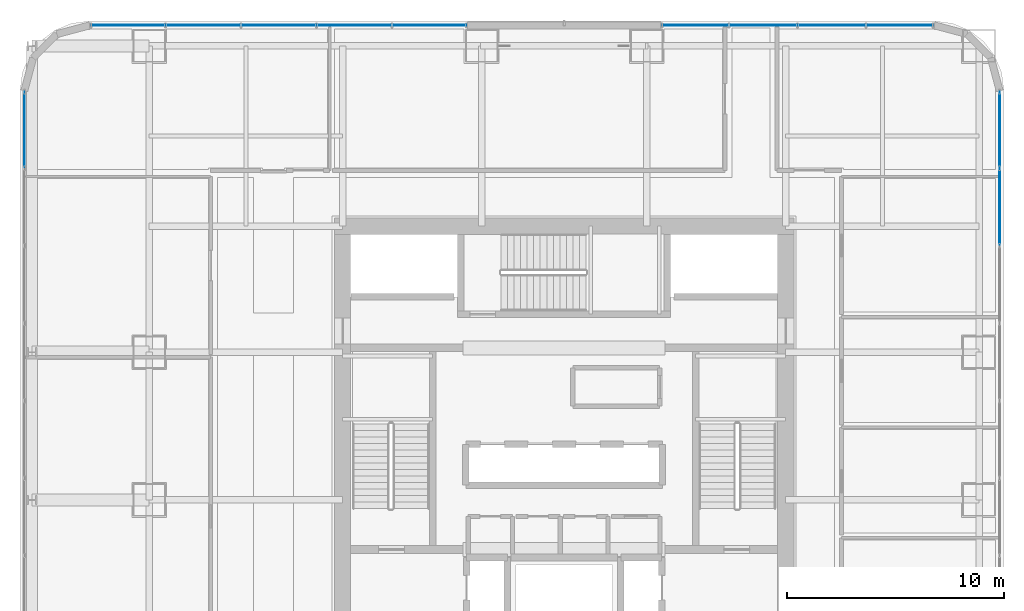
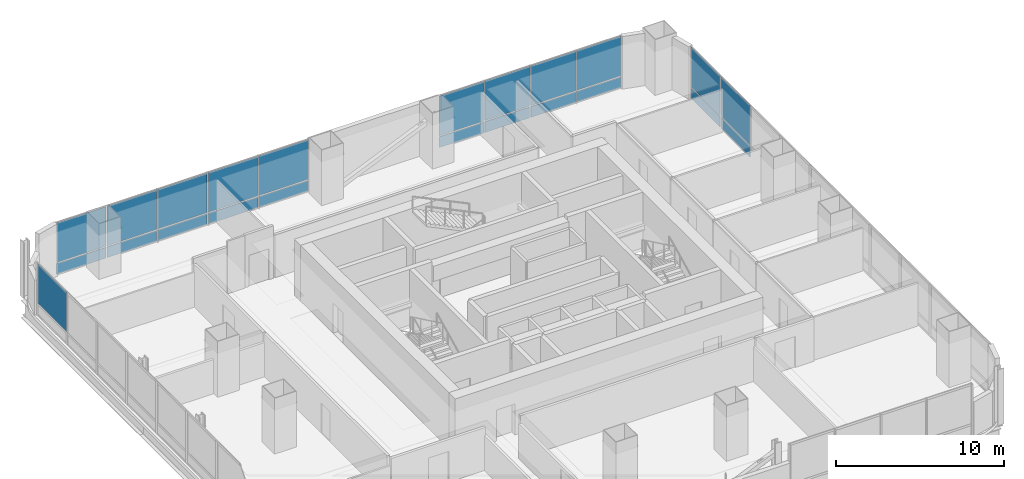
# One storey, part 24 of 37: 23 plates, 4 elements without a shape of their own.
"""IFC4 building model written with IfcOpenShell, lengths in metres."""

from ifc_helpers import new_model, si_unit, direction, frame, origin, origin_2d, place, context, subcontext, project, spatial, rectangle, extrude, material, layer, layer_set, type_object, element, aggregate, save


model = new_model("IFC4")

# Units and contexts
model_context = context("Model", 3, precision=1e-05, world=origin(), true_north=direction((0.0, 1.0)))
body_context = subcontext(model_context, "Body", "Model", "MODEL_VIEW")
ifc_project = project(units=[si_unit("LENGTHUNIT", "METRE"), si_unit("AREAUNIT", "SQUARE_METRE"), si_unit("VOLUMEUNIT", "CUBIC_METRE"), si_unit("PLANEANGLEUNIT", "RADIAN"), si_unit("MASSUNIT", "GRAM", prefix="KILO")], contexts=[model_context])

# Site, building, storey
site_placement = place(None, origin())
site = spatial("IfcSite", under=ifc_project, at=site_placement, CompositionType="ELEMENT")
building_placement = place(site_placement, origin())
building = spatial("IfcBuilding", under=site, at=building_placement, Name="Punatoya Terracotta Tower", CompositionType="ELEMENT")
storey_placement = place(building_placement, frame((0.0, 0.0, 44.39990234375)))
storey = spatial("IfcBuildingStorey", under=building, at=storey_placement, Name="L09", CompositionType="ELEMENT", Elevation=44.39990234375)

# Curtain wall, plates
ifc_material_1 = material(Name="Aluminium 6063-T6 + Double Low-E Glass", Category="aluminium")
curtain_wall_type = type_object("IfcCurtainWallType", Name="CW-M1", PredefinedType="NOTDEFINED", material=ifc_material_1)
curtain_wall_1_placement = place(storey_placement, origin())
curtain_wall_1 = element("IfcCurtainWall", 1, at=curtain_wall_1_placement, inside=storey, type_object=curtain_wall_type, Name="L09 Curtain Wall CW-L09-E05-1", PredefinedType="NOTDEFINED")
ifc_material_2 = material(Name="Double Low-E Clear Vision Glass", Category="glass")
ifc_layer_1 = layer(ifc_material_2, 0.028076171875)
ifc_layer_set_1 = layer_set([ifc_layer_1], Name="Double Low-E Clear Vision Glass")
plate_type_1 = type_object("IfcPlateType", Name="PLT-GLZ-28", PredefinedType="CURTAIN_PANEL", material=ifc_layer_set_1)
plate_1_placement = place(storey_placement, frame((20.050048828125, 10.085693359375, 0.89013671875), z_axis=(0.0, 0.0, 1.0), x_axis=(0.0, 1.0, 0.0)))
plate_1 = element("IfcPlate", 2, at=plate_1_placement, type_object=plate_type_1, Name="CW-L09-E05-1 Vision Glass Panel 9", PredefinedType="CURTAIN_PANEL", context=body_context, shape_type="SweptSolid", body=[
    extrude(rectangle(XDim=3.482421875, YDim=0.028076171875, at=origin_2d()), origin(), (0.0, 0.0, 1.0), 2.8798828125),
])
plate_2_placement = place(storey_placement, frame((20.050048828125, 13.6533203125, 0.89013671875), z_axis=(0.0, 0.0, 1.0), x_axis=(0.0, 1.0, 0.0)))
plate_2 = element("IfcPlate", 3, at=plate_2_placement, type_object=plate_type_1, Name="CW-L09-E05-1 Vision Glass Panel 10", PredefinedType="CURTAIN_PANEL", context=body_context, shape_type="SweptSolid", body=[
    extrude(rectangle(XDim=3.482421875, YDim=0.028076171875, at=origin_2d()), origin(), (0.0, 0.0, 1.0), 2.8798828125),
])

curtain_wall_2_placement = place(storey_placement, origin())
curtain_wall_2 = element("IfcCurtainWall", 4, at=curtain_wall_2_placement, inside=storey, type_object=curtain_wall_type, Name="L09 Curtain Wall CW-L09-N09-1", PredefinedType="NOTDEFINED")
plate_3_placement = place(storey_placement, frame((15.46337890625, 18.449951171875, 0.89013671875), z_axis=(0.0, 0.0, 1.0), x_axis=(-1.0, 0.0, 0.0)))
plate_3 = element("IfcPlate", 5, at=plate_3_placement, type_object=plate_type_1, Name="CW-L09-N09-1 Vision Glass Panel 1", PredefinedType="CURTAIN_PANEL", context=body_context, shape_type="SweptSolid", body=[
    extrude(rectangle(XDim=3.061767578125, YDim=0.028076171875, at=origin_2d()), origin(), (0.0, 0.0, 1.0), 2.8798828125),
])
plate_4_placement = place(storey_placement, frame((12.31689453125, 18.449951171875, 0.89013671875), z_axis=(0.0, 0.0, 1.0), x_axis=(-1.0, 0.0, 0.0)))
plate_4 = element("IfcPlate", 6, at=plate_4_placement, type_object=plate_type_1, Name="CW-L09-N09-1 Vision Glass Panel 2", PredefinedType="CURTAIN_PANEL", context=body_context, shape_type="SweptSolid", body=[
    extrude(rectangle(XDim=3.061767578125, YDim=0.028076171875, at=origin_2d()), origin(), (0.0, 0.0, 1.0), 2.8798828125),
])
plate_5_placement = place(storey_placement, frame((9.170166015625, 18.449951171875, 0.89013671875), z_axis=(0.0, 0.0, 1.0), x_axis=(-1.0, 0.0, 0.0)))
plate_5 = element("IfcPlate", 7, at=plate_5_placement, type_object=plate_type_1, Name="CW-L09-N09-1 Vision Glass Panel 3", PredefinedType="CURTAIN_PANEL", context=body_context, shape_type="SweptSolid", body=[
    extrude(rectangle(XDim=3.061767578125, YDim=0.028076171875, at=origin_2d()), origin(), (0.0, 0.0, 1.0), 2.8798828125),
])
plate_6_placement = place(storey_placement, frame((6.0234375, 18.449951171875, 0.89013671875), z_axis=(0.0, 0.0, 1.0), x_axis=(-1.0, 0.0, 0.0)))
plate_6 = element("IfcPlate", 8, at=plate_6_placement, type_object=plate_type_1, Name="CW-L09-N09-1 Vision Glass Panel 4", PredefinedType="CURTAIN_PANEL", context=body_context, shape_type="SweptSolid", body=[
    extrude(rectangle(XDim=3.061767578125, YDim=0.028076171875, at=origin_2d()), origin(), (0.0, 0.0, 1.0), 2.8798828125),
])

curtain_wall_3_placement = place(storey_placement, origin())
curtain_wall_3 = element("IfcCurtainWall", 9, at=curtain_wall_3_placement, inside=storey, type_object=curtain_wall_type, Name="L09 Curtain Wall CW-L09-N09-2", PredefinedType="NOTDEFINED")
plate_7_placement = place(storey_placement, frame((-6.188720703125, 18.449951171875, 0.89013671875), z_axis=(0.0, 0.0, 1.0), x_axis=(-1.0, 0.0, 0.0)))
plate_7 = element("IfcPlate", 10, at=plate_7_placement, type_object=plate_type_1, Name="CW-L09-N09-2 Vision Glass Panel 1", PredefinedType="CURTAIN_PANEL", context=body_context, shape_type="SweptSolid", body=[
    extrude(rectangle(XDim=3.392333984375, YDim=0.028076171875, at=origin_2d()), origin(), (0.0, 0.0, 1.0), 2.8798828125),
])
plate_8_placement = place(storey_placement, frame((-9.666015625, 18.449951171875, 0.89013671875), z_axis=(0.0, 0.0, 1.0), x_axis=(-1.0, 0.0, 0.0)))
plate_8 = element("IfcPlate", 11, at=plate_8_placement, type_object=plate_type_1, Name="CW-L09-N09-2 Vision Glass Panel 2", PredefinedType="CURTAIN_PANEL", context=body_context, shape_type="SweptSolid", body=[
    extrude(rectangle(XDim=3.392333984375, YDim=0.028076171875, at=origin_2d()), origin(), (0.0, 0.0, 1.0), 2.8798828125),
])
plate_9_placement = place(storey_placement, frame((-13.1435546875, 18.449951171875, 0.89013671875), z_axis=(0.0, 0.0, 1.0), x_axis=(-1.0, 0.0, 0.0)))
plate_9 = element("IfcPlate", 12, at=plate_9_placement, type_object=plate_type_1, Name="CW-L09-N09-2 Vision Glass Panel 3", PredefinedType="CURTAIN_PANEL", context=body_context, shape_type="SweptSolid", body=[
    extrude(rectangle(XDim=3.392333984375, YDim=0.028076171875, at=origin_2d()), origin(), (0.0, 0.0, 1.0), 2.8798828125),
])
plate_10_placement = place(storey_placement, frame((-16.620849609375, 18.449951171875, 0.89013671875), z_axis=(0.0, 0.0, 1.0), x_axis=(-1.0, 0.0, 0.0)))
plate_10 = element("IfcPlate", 13, at=plate_10_placement, type_object=plate_type_1, Name="CW-L09-N09-2 Vision Glass Panel 4", PredefinedType="CURTAIN_PANEL", context=body_context, shape_type="SweptSolid", body=[
    extrude(rectangle(XDim=3.392333984375, YDim=0.028076171875, at=origin_2d()), origin(), (0.0, 0.0, 1.0), 2.8798828125),
])
plate_11_placement = place(storey_placement, frame((-20.09814453125, 18.449951171875, 0.89013671875), z_axis=(0.0, 0.0, 1.0), x_axis=(-1.0, 0.0, 0.0)))
plate_11 = element("IfcPlate", 14, at=plate_11_placement, type_object=plate_type_1, Name="CW-L09-N09-2 Vision Glass Panel 5", PredefinedType="CURTAIN_PANEL", context=body_context, shape_type="SweptSolid", body=[
    extrude(rectangle(XDim=3.392333984375, YDim=0.028076171875, at=origin_2d()), origin(), (0.0, 0.0, 1.0), 2.8798828125),
])

# Curtain wall, plate
curtain_wall_4_placement = place(storey_placement, origin())
curtain_wall_4 = element("IfcCurtainWall", 15, at=curtain_wall_4_placement, inside=storey, type_object=curtain_wall_type, Name="L09 Curtain Wall CW-L09-W13-1", PredefinedType="NOTDEFINED")
plate_12_placement = place(storey_placement, frame((-24.85009765625, 13.6533203125, 0.89013671875), z_axis=(0.0, 0.0, 1.0), x_axis=(0.0, -1.0, 0.0)))
plate_12 = element("IfcPlate", 16, at=plate_12_placement, type_object=plate_type_1, Name="CW-L09-W13-1 Vision Glass Panel 1", PredefinedType="CURTAIN_PANEL", context=body_context, shape_type="SweptSolid", body=[
    extrude(rectangle(XDim=3.482421875, YDim=0.028076171875, at=origin_2d()), origin(), (0.0, 0.0, 1.0), 2.8798828125),
])
aggregate(curtain_wall_4, [plate_12])

# Plate
ifc_material_3 = material(Name="Insulated Terracotta-Backed Spandrel Panel", Category="masonry")
ifc_layer_2 = layer(ifc_material_3, 0.044921875)
ifc_layer_set_2 = layer_set([ifc_layer_2], Name="Insulated Terracotta-Backed Spandrel Panel")
plate_type_2 = type_object("IfcPlateType", Name="PLT-SPN-45", PredefinedType="CURTAIN_PANEL", material=ifc_layer_set_2)
plate_13_placement = place(storey_placement, frame((20.050048828125, 10.085693359375, 0.0400390625), z_axis=(0.0, 0.0, 1.0), x_axis=(0.0, 1.0, 0.0)))
plate_13 = element("IfcPlate", 17, at=plate_13_placement, type_object=plate_type_2, Name="CW-L09-E05-1 Terracotta Spandrel Panel 9", PredefinedType="CURTAIN_PANEL", context=body_context, shape_type="SweptSolid", body=[
    extrude(rectangle(XDim=3.482421875, YDim=0.044921875, at=origin_2d()), origin(), (0.0, 0.0, 1.0), 0.77490234375),
])

plate_14_placement = place(storey_placement, frame((20.050048828125, 13.6533203125, 0.0400390625), z_axis=(0.0, 0.0, 1.0), x_axis=(0.0, 1.0, 0.0)))
plate_14 = element("IfcPlate", 18, at=plate_14_placement, type_object=plate_type_2, Name="CW-L09-E05-1 Terracotta Spandrel Panel 10", PredefinedType="CURTAIN_PANEL", context=body_context, shape_type="SweptSolid", body=[
    extrude(rectangle(XDim=3.482421875, YDim=0.044921875, at=origin_2d()), origin(), (0.0, 0.0, 1.0), 0.77490234375),
])

aggregate(curtain_wall_1, [plate_13, plate_1, plate_14, plate_2])

plate_15_placement = place(storey_placement, frame((15.46337890625, 18.449951171875, 0.0400390625), z_axis=(0.0, 0.0, 1.0), x_axis=(-1.0, 0.0, 0.0)))
plate_15 = element("IfcPlate", 19, at=plate_15_placement, type_object=plate_type_2, Name="CW-L09-N09-1 Terracotta Spandrel Panel 1", PredefinedType="CURTAIN_PANEL", context=body_context, shape_type="SweptSolid", body=[
    extrude(rectangle(XDim=3.061767578125, YDim=0.044921875, at=origin_2d()), origin(), (0.0, 0.0, 1.0), 0.77490234375),
])

plate_16_placement = place(storey_placement, frame((12.31689453125, 18.449951171875, 0.0400390625), z_axis=(0.0, 0.0, 1.0), x_axis=(-1.0, 0.0, 0.0)))
plate_16 = element("IfcPlate", 20, at=plate_16_placement, type_object=plate_type_2, Name="CW-L09-N09-1 Terracotta Spandrel Panel 2", PredefinedType="CURTAIN_PANEL", context=body_context, shape_type="SweptSolid", body=[
    extrude(rectangle(XDim=3.061767578125, YDim=0.044921875, at=origin_2d()), origin(), (0.0, 0.0, 1.0), 0.77490234375),
])

plate_17_placement = place(storey_placement, frame((9.170166015625, 18.449951171875, 0.0400390625), z_axis=(0.0, 0.0, 1.0), x_axis=(-1.0, 0.0, 0.0)))
plate_17 = element("IfcPlate", 21, at=plate_17_placement, type_object=plate_type_2, Name="CW-L09-N09-1 Terracotta Spandrel Panel 3", PredefinedType="CURTAIN_PANEL", context=body_context, shape_type="SweptSolid", body=[
    extrude(rectangle(XDim=3.061767578125, YDim=0.044921875, at=origin_2d()), origin(), (0.0, 0.0, 1.0), 0.77490234375),
])

plate_18_placement = place(storey_placement, frame((6.0234375, 18.449951171875, 0.0400390625), z_axis=(0.0, 0.0, 1.0), x_axis=(-1.0, 0.0, 0.0)))
plate_18 = element("IfcPlate", 22, at=plate_18_placement, type_object=plate_type_2, Name="CW-L09-N09-1 Terracotta Spandrel Panel 4", PredefinedType="CURTAIN_PANEL", context=body_context, shape_type="SweptSolid", body=[
    extrude(rectangle(XDim=3.061767578125, YDim=0.044921875, at=origin_2d()), origin(), (0.0, 0.0, 1.0), 0.77490234375),
])

aggregate(curtain_wall_2, [plate_15, plate_3, plate_16, plate_4, plate_17, plate_5, plate_18, plate_6])

plate_19_placement = place(storey_placement, frame((-6.188720703125, 18.449951171875, 0.0400390625), z_axis=(0.0, 0.0, 1.0), x_axis=(-1.0, 0.0, 0.0)))
plate_19 = element("IfcPlate", 23, at=plate_19_placement, type_object=plate_type_2, Name="CW-L09-N09-2 Terracotta Spandrel Panel 1", PredefinedType="CURTAIN_PANEL", context=body_context, shape_type="SweptSolid", body=[
    extrude(rectangle(XDim=3.392333984375, YDim=0.044921875, at=origin_2d()), origin(), (0.0, 0.0, 1.0), 0.77490234375),
])

plate_20_placement = place(storey_placement, frame((-9.666015625, 18.449951171875, 0.0400390625), z_axis=(0.0, 0.0, 1.0), x_axis=(-1.0, 0.0, 0.0)))
plate_20 = element("IfcPlate", 24, at=plate_20_placement, type_object=plate_type_2, Name="CW-L09-N09-2 Terracotta Spandrel Panel 2", PredefinedType="CURTAIN_PANEL", context=body_context, shape_type="SweptSolid", body=[
    extrude(rectangle(XDim=3.392333984375, YDim=0.044921875, at=origin_2d()), origin(), (0.0, 0.0, 1.0), 0.77490234375),
])

plate_21_placement = place(storey_placement, frame((-13.1435546875, 18.449951171875, 0.0400390625), z_axis=(0.0, 0.0, 1.0), x_axis=(-1.0, 0.0, 0.0)))
plate_21 = element("IfcPlate", 25, at=plate_21_placement, type_object=plate_type_2, Name="CW-L09-N09-2 Terracotta Spandrel Panel 3", PredefinedType="CURTAIN_PANEL", context=body_context, shape_type="SweptSolid", body=[
    extrude(rectangle(XDim=3.392333984375, YDim=0.044921875, at=origin_2d()), origin(), (0.0, 0.0, 1.0), 0.77490234375),
])

plate_22_placement = place(storey_placement, frame((-16.620849609375, 18.449951171875, 0.0400390625), z_axis=(0.0, 0.0, 1.0), x_axis=(-1.0, 0.0, 0.0)))
plate_22 = element("IfcPlate", 26, at=plate_22_placement, type_object=plate_type_2, Name="CW-L09-N09-2 Terracotta Spandrel Panel 4", PredefinedType="CURTAIN_PANEL", context=body_context, shape_type="SweptSolid", body=[
    extrude(rectangle(XDim=3.392333984375, YDim=0.044921875, at=origin_2d()), origin(), (0.0, 0.0, 1.0), 0.77490234375),
])

plate_23_placement = place(storey_placement, frame((-20.09814453125, 18.449951171875, 0.0400390625), z_axis=(0.0, 0.0, 1.0), x_axis=(-1.0, 0.0, 0.0)))
plate_23 = element("IfcPlate", 27, at=plate_23_placement, type_object=plate_type_2, Name="CW-L09-N09-2 Terracotta Spandrel Panel 5", PredefinedType="CURTAIN_PANEL", context=body_context, shape_type="SweptSolid", body=[
    extrude(rectangle(XDim=3.392333984375, YDim=0.044921875, at=origin_2d()), origin(), (0.0, 0.0, 1.0), 0.77490234375),
])

aggregate(curtain_wall_3, [plate_19, plate_7, plate_20, plate_8, plate_21, plate_9, plate_22, plate_10, plate_23, plate_11])

save(model, "model.ifc")
